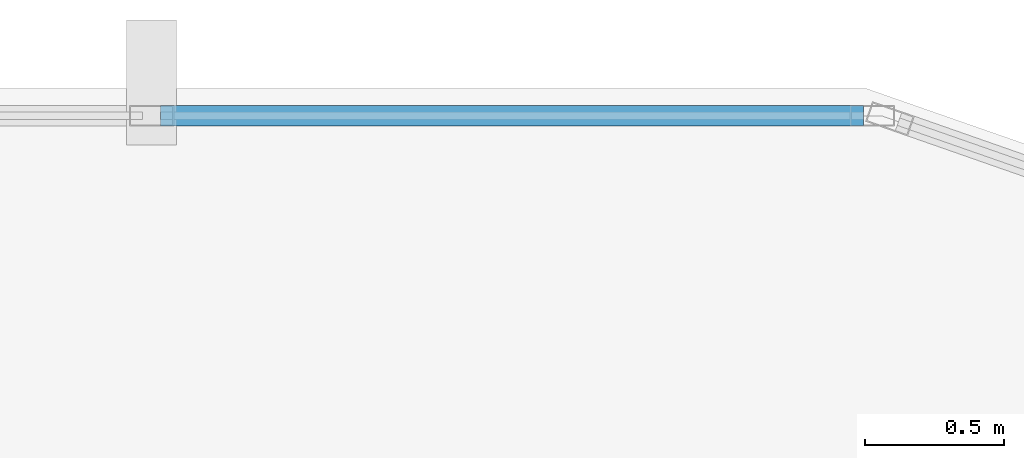
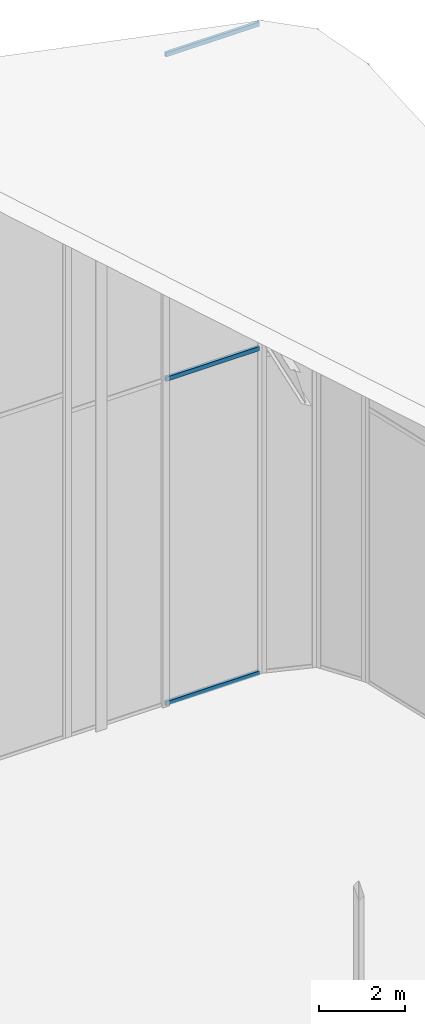
# One storey, part 65 of 74: 3 members, 1 element without a shape of its own.
"""IFC4 building model written with IfcOpenShell, lengths in metres."""

from ifc_helpers import new_model, si_unit, direction, frame, origin, origin_2d, place, context, subcontext, project, spatial, hollow_rectangle, extrude, material, layer, layer_set, material_profile, profile_set, type_object, element, aggregate, save


model = new_model("IFC4")

# Units and contexts
model_context = context("Model", 3, precision=1e-05, world=origin(), true_north=direction((0.0, 1.0)))
body_context = subcontext(model_context, "Body", "Model", "MODEL_VIEW")
ifc_project = project(units=[si_unit("LENGTHUNIT", "METRE"), si_unit("AREAUNIT", "SQUARE_METRE"), si_unit("VOLUMEUNIT", "CUBIC_METRE"), si_unit("PLANEANGLEUNIT", "RADIAN"), si_unit("MASSUNIT", "GRAM", prefix="KILO")], contexts=[model_context])

# Site, building, storey
site_placement = place(None, origin())
site = spatial("IfcSite", under=ifc_project, at=site_placement, CompositionType="ELEMENT")
building_placement = place(site_placement, origin())
building = spatial("IfcBuilding", under=site, at=building_placement, Name="Keshet Zoharim Tower", CompositionType="ELEMENT")
storey_placement = place(building_placement, frame((0.0, 0.0, 320.0)))
storey = spatial("IfcBuildingStorey", under=building, at=storey_placement, Name="RF", CompositionType="ELEMENT", Elevation=320.0)

# Curtain wall, members
ifc_material = material(Name="Aluminium 6063-T6", Category="aluminium")
ifc_layer = layer(ifc_material, 0.260009765625)
ifc_layer_set = layer_set([ifc_layer], Name="Aluminium 6063-T6")
curtain_wall_type = type_object("IfcCurtainWallType", Name="CW-SYS-06", PredefinedType="NOTDEFINED", material=ifc_layer_set)
curtain_wall_placement = place(storey_placement, origin())
curtain_wall = element("IfcCurtainWall", 1, at=curtain_wall_placement, inside=storey, type_object=curtain_wall_type, Name="Slanted Crown Curtain Wall 14", PredefinedType="NOTDEFINED")
ifc_material_profile = material_profile(ifc_material, hollow_rectangle(XDim=0.074951171875, YDim=0.1201171875, WallThickness=0.00390625, at=origin_2d()), Name="TRN-75x120")
ifc_profile_set = profile_set([ifc_material_profile], Name="Aluminium 6063-T6")
member_type = type_object("IfcMemberType", Name="CWT-T12", PredefinedType="USERDEFINED", material=ifc_profile_set)
member_1_placement = place(storey_placement, frame((34.81201171875, 53.89990234375, 0.032470703125), z_axis=(1.0, 0.0, 0.0), x_axis=(0.0, 1.0, 0.0)))
member_1 = element("IfcMember", 2, at=member_1_placement, type_object=member_type, Name="CW-06 transom 2.1", ObjectType="TRANSOM", PredefinedType="USERDEFINED", context=body_context, shape_type="SweptSolid", body=[
    extrude(hollow_rectangle(XDim=0.074951171875, YDim=0.1201171875, WallThickness=0.00390625, at=origin_2d()), origin(), (0.0, 0.0, 1.0), 2.531982421875),
])
member_2_placement = place(storey_placement, frame((34.81201171875, 53.89990234375, 9.287109375), z_axis=(1.0, 0.0, 0.0), x_axis=(0.0, 1.0, 0.0)))
member_2 = element("IfcMember", 3, at=member_2_placement, type_object=member_type, Name="CW-06 transom 2.2", ObjectType="TRANSOM", PredefinedType="USERDEFINED", context=body_context, shape_type="SweptSolid", body=[
    extrude(hollow_rectangle(XDim=0.074951171875, YDim=0.1201171875, WallThickness=0.00390625, at=origin_2d()), origin(), (0.0, 0.0, 1.0), 2.531982421875),
])
member_3_placement = place(storey_placement, frame((34.81201171875, 53.89990234375, 18.54150390625), z_axis=(1.0, 0.0, 0.0), x_axis=(0.0, 1.0, 0.0)))
member_3 = element("IfcMember", 4, at=member_3_placement, type_object=member_type, Name="CW-06 transom 2.3", ObjectType="TRANSOM", PredefinedType="USERDEFINED", context=body_context, shape_type="SweptSolid", body=[
    extrude(hollow_rectangle(XDim=0.074951171875, YDim=0.1201171875, WallThickness=0.00390625, at=origin_2d()), origin(), (0.0, 0.0, 1.0), 2.531982421875),
])
aggregate(curtain_wall, [member_1, member_2, member_3])

save(model, "model.ifc")
